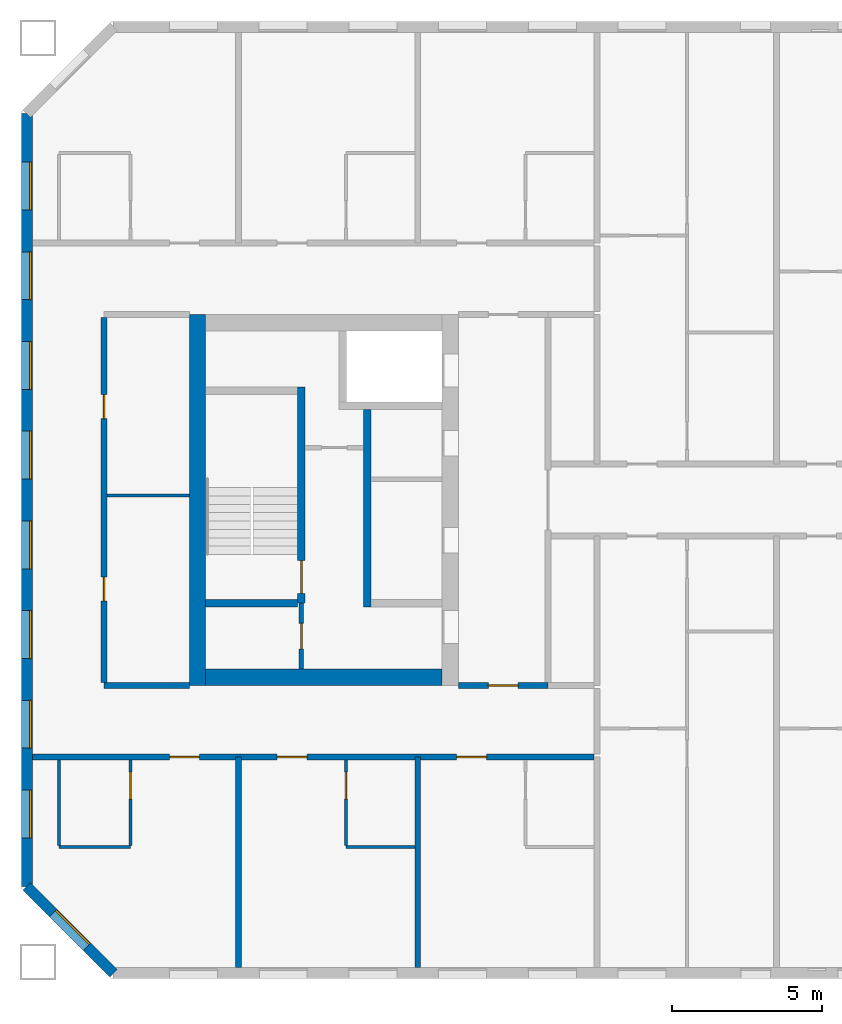
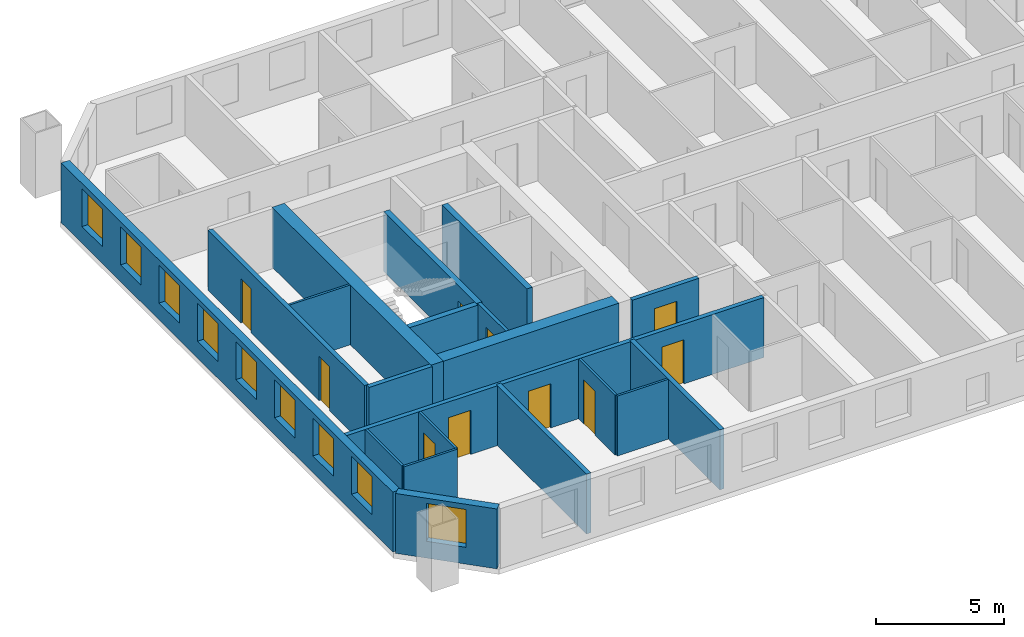
# One storey, part 2 of 16: 20 walls, 10 doors, 9 windows, 19 openings.
"""IFC4 building model written with IfcOpenShell, lengths in metres."""

from ifc_helpers import new_model, si_unit, direction, frame, frame_2d, origin, place, context, subcontext, project, spatial, rectangle, extrude, material, layer, layer_set, type_object, element, fill, save


model = new_model("IFC4")

# Units and contexts
model_context = context("Model", 3, precision=1e-05, world=origin(), true_north=direction((0.0, 1.0)))
body_context = subcontext(model_context, "Body", "Model", "MODEL_VIEW")
ifc_project = project(units=[si_unit("LENGTHUNIT", "METRE"), si_unit("AREAUNIT", "SQUARE_METRE"), si_unit("VOLUMEUNIT", "CUBIC_METRE"), si_unit("PLANEANGLEUNIT", "RADIAN"), si_unit("MASSUNIT", "GRAM", prefix="KILO")], contexts=[model_context])

# Site, building, storey
site_placement = place(None, origin())
site = spatial("IfcSite", under=ifc_project, at=site_placement, CompositionType="ELEMENT")
building_placement = place(site_placement, origin())
building = spatial("IfcBuilding", under=site, at=building_placement, Name="Tuart Gate Housing", CompositionType="ELEMENT")
storey_placement = place(building_placement, frame((0.0, 0.0, 139.199951171875)))
storey = spatial("IfcBuildingStorey", under=building, at=storey_placement, Name="L39", CompositionType="ELEMENT", Elevation=139.199951171875)

# Wall, opening, window
ifc_material_1 = material(Name="Brick", Category="masonry")
ifc_layer_1 = layer(ifc_material_1, 0.360107421875)
ifc_layer_set_1 = layer_set([ifc_layer_1], Name="Brick pier and spandrel wall 360")
wall_type_1 = type_object("IfcWallType", Name="Brick pier and spandrel wall 360", PredefinedType="STANDARD", material=ifc_layer_set_1)
wall_1_placement = place(storey_placement, frame((26.929931640625, 57.07470703125, 0.0), z_axis=(0.0, 0.0, 1.0), x_axis=(0.707106781187, -0.707106781187, 0.0)))
wall_1 = element("IfcWall", 1, at=wall_1_placement, inside=storey, type_object=wall_type_1, Name="External wall A-SW L39", PredefinedType="STANDARD", context=body_context, shape_type="SweptSolid", body=[
    extrude(rectangle(XDim=4.09375, YDim=0.360107421875, at=frame_2d((2.046875, 0.0))), origin(), (0.0, 0.0, 1.0), 2.85009765625),
])
opening_1_placement = place(wall_1_placement, frame((1.2470703125, 0.0, 0.800048828125)))
opening_1 = element("IfcOpeningElement", 2, at=opening_1_placement, cuts=wall_1, Name="Opening W1", PredefinedType="OPENING", context=body_context, shape_type="SweptSolid", body=[
    extrude(rectangle(XDim=1.60009765625, YDim=1.800048828125, at=frame_2d((0.800048828125, 0.89990234375))), frame((0.0, 0.18994140625, 0.0), z_axis=(0.0, -1.0, 0.0), x_axis=(1.0, 0.0, 0.0)), (0.0, 0.0, 1.0), 0.380126953125),
])
ifc_material_2 = material(Name="Aluminium frame with clear glass", Category="aluminium")
window_type = type_object("IfcWindowType", Name="Punched window 1600 x 1800", PartitioningType="SINGLE_PANEL", PredefinedType="WINDOW", material=ifc_material_2)
window_1_placement = place(opening_1_placement, origin())
window_1 = element("IfcWindow", 3, at=window_1_placement, inside=storey, type_object=window_type, Name="Window W1", OverallHeight=1.800048828125, OverallWidth=1.60009765625, PartitioningType="SINGLE_PANEL", PredefinedType="WINDOW", context=body_context, shape_type="SweptSolid", body=[
    extrude(rectangle(XDim=1.60009765625, YDim=1.800048828125, at=frame_2d((0.800048828125, 0.89990234375))), frame((0.0, 0.150146484375, 0.0), z_axis=(0.0, -1.0, 0.0), x_axis=(1.0, 0.0, 0.0)), (0.0, 0.0, 1.0), 0.06005859375),
])
fill(opening_1, window_1)

# Wall, openings, windows
wall_2_placement = place(storey_placement, frame((26.929931640625, 82.92529296875, 0.0), z_axis=(0.0, 0.0, 1.0), x_axis=(0.0, -1.0, 0.0)))
wall_2 = element("IfcWall", 4, at=wall_2_placement, inside=storey, type_object=wall_type_1, Name="External wall A-W L39", PredefinedType="STANDARD", context=body_context, shape_type="SweptSolid", body=[
    extrude(rectangle(XDim=25.850830078125, YDim=0.360107421875, at=frame_2d((12.92529296875, 0.0))), origin(), (0.0, 0.0, 1.0), 2.85009765625),
])
opening_2_placement = place(wall_2_placement, frame((1.62548828125, 0.0, 0.800048828125)))
opening_2 = element("IfcOpeningElement", 5, at=opening_2_placement, cuts=wall_2, Name="Opening W1", PredefinedType="OPENING", context=body_context, shape_type="SweptSolid", body=[
    extrude(rectangle(XDim=1.60009765625, YDim=1.800048828125, at=frame_2d((0.800048828125, 0.89990234375))), frame((0.0, 0.18994140625, 0.0), z_axis=(0.0, -1.0, 0.0), x_axis=(1.0, 0.0, 0.0)), (0.0, 0.0, 1.0), 0.380126953125),
])
opening_3_placement = place(wall_2_placement, frame((4.62548828125, 0.0, 0.800048828125)))
opening_3 = element("IfcOpeningElement", 6, at=opening_3_placement, cuts=wall_2, Name="Opening W1", PredefinedType="OPENING", context=body_context, shape_type="SweptSolid", body=[
    extrude(rectangle(XDim=1.60009765625, YDim=1.800048828125, at=frame_2d((0.800048828125, 0.89990234375))), frame((0.0, 0.18994140625, 0.0), z_axis=(0.0, -1.0, 0.0), x_axis=(1.0, 0.0, 0.0)), (0.0, 0.0, 1.0), 0.380126953125),
])
opening_4_placement = place(wall_2_placement, frame((7.62548828125, 0.0, 0.800048828125)))
opening_4 = element("IfcOpeningElement", 7, at=opening_4_placement, cuts=wall_2, Name="Opening W1", PredefinedType="OPENING", context=body_context, shape_type="SweptSolid", body=[
    extrude(rectangle(XDim=1.60009765625, YDim=1.800048828125, at=frame_2d((0.800048828125, 0.89990234375))), frame((0.0, 0.18994140625, 0.0), z_axis=(0.0, -1.0, 0.0), x_axis=(1.0, 0.0, 0.0)), (0.0, 0.0, 1.0), 0.380126953125),
])
opening_5_placement = place(wall_2_placement, frame((10.62548828125, 0.0, 0.800048828125)))
opening_5 = element("IfcOpeningElement", 8, at=opening_5_placement, cuts=wall_2, Name="Opening W1", PredefinedType="OPENING", context=body_context, shape_type="SweptSolid", body=[
    extrude(rectangle(XDim=1.60009765625, YDim=1.800048828125, at=frame_2d((0.800048828125, 0.89990234375))), frame((0.0, 0.18994140625, 0.0), z_axis=(0.0, -1.0, 0.0), x_axis=(1.0, 0.0, 0.0)), (0.0, 0.0, 1.0), 0.380126953125),
])
opening_6_placement = place(wall_2_placement, frame((13.62548828125, 0.0, 0.800048828125)))
opening_6 = element("IfcOpeningElement", 9, at=opening_6_placement, cuts=wall_2, Name="Opening W1", PredefinedType="OPENING", context=body_context, shape_type="SweptSolid", body=[
    extrude(rectangle(XDim=1.60009765625, YDim=1.800048828125, at=frame_2d((0.800048828125, 0.89990234375))), frame((0.0, 0.18994140625, 0.0), z_axis=(0.0, -1.0, 0.0), x_axis=(1.0, 0.0, 0.0)), (0.0, 0.0, 1.0), 0.380126953125),
])
opening_7_placement = place(wall_2_placement, frame((16.62548828125, 0.0, 0.800048828125)))
opening_7 = element("IfcOpeningElement", 10, at=opening_7_placement, cuts=wall_2, Name="Opening W1", PredefinedType="OPENING", context=body_context, shape_type="SweptSolid", body=[
    extrude(rectangle(XDim=1.60009765625, YDim=1.800048828125, at=frame_2d((0.800048828125, 0.89990234375))), frame((0.0, 0.18994140625, 0.0), z_axis=(0.0, -1.0, 0.0), x_axis=(1.0, 0.0, 0.0)), (0.0, 0.0, 1.0), 0.380126953125),
])
opening_8_placement = place(wall_2_placement, frame((19.62548828125, 0.0, 0.800048828125)))
opening_8 = element("IfcOpeningElement", 11, at=opening_8_placement, cuts=wall_2, Name="Opening W1", PredefinedType="OPENING", context=body_context, shape_type="SweptSolid", body=[
    extrude(rectangle(XDim=1.60009765625, YDim=1.800048828125, at=frame_2d((0.800048828125, 0.89990234375))), frame((0.0, 0.18994140625, 0.0), z_axis=(0.0, -1.0, 0.0), x_axis=(1.0, 0.0, 0.0)), (0.0, 0.0, 1.0), 0.380126953125),
])
opening_9_placement = place(wall_2_placement, frame((22.62548828125, 0.0, 0.800048828125)))
opening_9 = element("IfcOpeningElement", 12, at=opening_9_placement, cuts=wall_2, Name="Opening W1", PredefinedType="OPENING", context=body_context, shape_type="SweptSolid", body=[
    extrude(rectangle(XDim=1.60009765625, YDim=1.800048828125, at=frame_2d((0.800048828125, 0.89990234375))), frame((0.0, 0.18994140625, 0.0), z_axis=(0.0, -1.0, 0.0), x_axis=(1.0, 0.0, 0.0)), (0.0, 0.0, 1.0), 0.380126953125),
])
window_2_placement = place(opening_2_placement, origin())
window_2 = element("IfcWindow", 13, at=window_2_placement, inside=storey, type_object=window_type, Name="Window W1", OverallHeight=1.800048828125, OverallWidth=1.60009765625, PartitioningType="SINGLE_PANEL", PredefinedType="WINDOW", context=body_context, shape_type="SweptSolid", body=[
    extrude(rectangle(XDim=1.60009765625, YDim=1.800048828125, at=frame_2d((0.800048828125, 0.89990234375))), frame((0.0, 0.150146484375, 0.0), z_axis=(0.0, -1.0, 0.0), x_axis=(1.0, 0.0, 0.0)), (0.0, 0.0, 1.0), 0.06005859375),
])
fill(opening_2, window_2)
window_3_placement = place(opening_3_placement, origin())
window_3 = element("IfcWindow", 14, at=window_3_placement, inside=storey, type_object=window_type, Name="Window W1", OverallHeight=1.800048828125, OverallWidth=1.60009765625, PartitioningType="SINGLE_PANEL", PredefinedType="WINDOW", context=body_context, shape_type="SweptSolid", body=[
    extrude(rectangle(XDim=1.60009765625, YDim=1.800048828125, at=frame_2d((0.800048828125, 0.89990234375))), frame((0.0, 0.150146484375, 0.0), z_axis=(0.0, -1.0, 0.0), x_axis=(1.0, 0.0, 0.0)), (0.0, 0.0, 1.0), 0.06005859375),
])
fill(opening_3, window_3)
window_4_placement = place(opening_4_placement, origin())
window_4 = element("IfcWindow", 15, at=window_4_placement, inside=storey, type_object=window_type, Name="Window W1", OverallHeight=1.800048828125, OverallWidth=1.60009765625, PartitioningType="SINGLE_PANEL", PredefinedType="WINDOW", context=body_context, shape_type="SweptSolid", body=[
    extrude(rectangle(XDim=1.60009765625, YDim=1.800048828125, at=frame_2d((0.800048828125, 0.89990234375))), frame((0.0, 0.150146484375, 0.0), z_axis=(0.0, -1.0, 0.0), x_axis=(1.0, 0.0, 0.0)), (0.0, 0.0, 1.0), 0.06005859375),
])
fill(opening_4, window_4)
window_5_placement = place(opening_5_placement, origin())
window_5 = element("IfcWindow", 16, at=window_5_placement, inside=storey, type_object=window_type, Name="Window W1", OverallHeight=1.800048828125, OverallWidth=1.60009765625, PartitioningType="SINGLE_PANEL", PredefinedType="WINDOW", context=body_context, shape_type="SweptSolid", body=[
    extrude(rectangle(XDim=1.60009765625, YDim=1.800048828125, at=frame_2d((0.800048828125, 0.89990234375))), frame((0.0, 0.150146484375, 0.0), z_axis=(0.0, -1.0, 0.0), x_axis=(1.0, 0.0, 0.0)), (0.0, 0.0, 1.0), 0.06005859375),
])
fill(opening_5, window_5)
window_6_placement = place(opening_6_placement, origin())
window_6 = element("IfcWindow", 17, at=window_6_placement, inside=storey, type_object=window_type, Name="Window W1", OverallHeight=1.800048828125, OverallWidth=1.60009765625, PartitioningType="SINGLE_PANEL", PredefinedType="WINDOW", context=body_context, shape_type="SweptSolid", body=[
    extrude(rectangle(XDim=1.60009765625, YDim=1.800048828125, at=frame_2d((0.800048828125, 0.89990234375))), frame((0.0, 0.150146484375, 0.0), z_axis=(0.0, -1.0, 0.0), x_axis=(1.0, 0.0, 0.0)), (0.0, 0.0, 1.0), 0.06005859375),
])
fill(opening_6, window_6)
window_7_placement = place(opening_7_placement, origin())
window_7 = element("IfcWindow", 18, at=window_7_placement, inside=storey, type_object=window_type, Name="Window W1", OverallHeight=1.800048828125, OverallWidth=1.60009765625, PartitioningType="SINGLE_PANEL", PredefinedType="WINDOW", context=body_context, shape_type="SweptSolid", body=[
    extrude(rectangle(XDim=1.60009765625, YDim=1.800048828125, at=frame_2d((0.800048828125, 0.89990234375))), frame((0.0, 0.150146484375, 0.0), z_axis=(0.0, -1.0, 0.0), x_axis=(1.0, 0.0, 0.0)), (0.0, 0.0, 1.0), 0.06005859375),
])
fill(opening_7, window_7)
window_8_placement = place(opening_8_placement, origin())
window_8 = element("IfcWindow", 19, at=window_8_placement, inside=storey, type_object=window_type, Name="Window W1", OverallHeight=1.800048828125, OverallWidth=1.60009765625, PartitioningType="SINGLE_PANEL", PredefinedType="WINDOW", context=body_context, shape_type="SweptSolid", body=[
    extrude(rectangle(XDim=1.60009765625, YDim=1.800048828125, at=frame_2d((0.800048828125, 0.89990234375))), frame((0.0, 0.150146484375, 0.0), z_axis=(0.0, -1.0, 0.0), x_axis=(1.0, 0.0, 0.0)), (0.0, 0.0, 1.0), 0.06005859375),
])
fill(opening_8, window_8)
window_9_placement = place(opening_9_placement, origin())
window_9 = element("IfcWindow", 20, at=window_9_placement, inside=storey, type_object=window_type, Name="Window W1", OverallHeight=1.800048828125, OverallWidth=1.60009765625, PartitioningType="SINGLE_PANEL", PredefinedType="WINDOW", context=body_context, shape_type="SweptSolid", body=[
    extrude(rectangle(XDim=1.60009765625, YDim=1.800048828125, at=frame_2d((0.800048828125, 0.89990234375))), frame((0.0, 0.150146484375, 0.0), z_axis=(0.0, -1.0, 0.0), x_axis=(1.0, 0.0, 0.0)), (0.0, 0.0, 1.0), 0.06005859375),
])
fill(opening_9, window_9)

# Wall, opening, door
ifc_material_3 = material(Name="Plasterboard partition")
ifc_layer_2 = layer(ifc_material_3, 0.14990234375)
ifc_layer_set_2 = layer_set([ifc_layer_2], Name="Core partition 150")
wall_type_2 = type_object("IfcWallType", Name="Core partition 150", PredefinedType="PARTITIONING", material=ifc_layer_set_2)
wall_3_placement = place(storey_placement, frame((36.110107421875, 66.550048828125, 0.0), z_axis=(0.0, 0.0, 1.0), x_axis=(0.0, -1.0, 0.0)))
wall_3 = element("IfcWall", 21, at=wall_3_placement, inside=storey, type_object=wall_type_2, Name="Core partition AK.10", PredefinedType="PARTITIONING", context=body_context, shape_type="SweptSolid", body=[
    extrude(rectangle(XDim=2.199951171875, YDim=0.14990234375, at=frame_2d((1.10009765625, 0.0))), origin(), (0.0, 0.0, 1.0), 2.85009765625),
])
opening_10_placement = place(wall_3_placement, frame((0.675048828125, 0.0, 0.0)))
opening_10 = element("IfcOpeningElement", 22, at=opening_10_placement, cuts=wall_3, Name="Opening D1441", PredefinedType="OPENING", context=body_context, shape_type="SweptSolid", body=[
    extrude(rectangle(XDim=0.85009765625, YDim=2.10009765625, at=frame_2d((0.425048828125, 1.050048828125))), frame((0.0, 0.0849609375, 0.0), z_axis=(0.0, -1.0, 0.0), x_axis=(1.0, 0.0, 0.0)), (0.0, 0.0, 1.0), 0.169921875),
])
ifc_material_4 = material(Name="Steel fire door", Category="steel")
door_type_1 = type_object("IfcDoorType", Name="Service door 850 x 2100 RH", OperationType="SINGLE_SWING_RIGHT", PredefinedType="DOOR", material=ifc_material_4)
door_1_placement = place(opening_10_placement, frame((0.85009765625, 0.0, 0.0), z_axis=(0.0, 0.0, 1.0), x_axis=(-1.0, 0.0, 0.0)))
door_1 = element("IfcDoor", 23, at=door_1_placement, inside=storey, type_object=door_type_1, Name="Service room door AK.ST", OperationType="SINGLE_SWING_RIGHT", OverallHeight=2.10009765625, OverallWidth=0.85009765625, PredefinedType="DOOR", context=body_context, shape_type="SweptSolid", body=[
    extrude(rectangle(XDim=0.85009765625, YDim=2.10009765625, at=frame_2d((0.425048828125, 1.050048828125))), frame((0.0, 0.025146484375, 0.0), z_axis=(0.0, -1.0, 0.0), x_axis=(1.0, 0.0, 0.0)), (0.0, 0.0, 1.0), 0.050048828125),
])
fill(opening_10, door_1)

# Walls
ifc_material_5 = material(Name="Concrete C50", Category="concrete")
ifc_layer_3 = layer(ifc_material_5, 0.25)
ifc_layer_set_3 = layer_set([ifc_layer_3], Name="Core wall 250 C50")
wall_type_3 = type_object("IfcWallType", Name="Core wall 250 C50", PredefinedType="SHEAR", material=ifc_layer_set_3)
wall_4_placement = place(storey_placement, frame((35.985107421875, 66.550048828125, 0.0), z_axis=(0.0, 0.0, 1.0), x_axis=(-1.0, 0.0, 0.0)))
element("IfcWall", 24, at=wall_4_placement, inside=storey, type_object=wall_type_3, Name="Core wall AK.6", PredefinedType="SHEAR", context=body_context, shape_type="SweptSolid", body=[
    extrude(rectangle(XDim=3.0751953125, YDim=0.25, at=frame_2d((1.53759765625, 0.0))), origin(), (0.0, 0.0, 1.0), 2.85009765625),
])
wall_5_placement = place(storey_placement, frame((38.31005859375, 73.02490234375, 0.0), z_axis=(0.0, 0.0, 1.0), x_axis=(0.0, -1.0, 0.0)))
element("IfcWall", 25, at=wall_5_placement, inside=storey, type_object=wall_type_3, Name="Core wall AK.7", PredefinedType="SHEAR", context=body_context, shape_type="SweptSolid", body=[
    extrude(rectangle(XDim=6.599853515625, YDim=0.25, at=frame_2d((3.2998046875, 0.0))), origin(), (0.0, 0.0, 1.0), 2.85009765625),
])

# Wall, opening, door
wall_6_placement = place(storey_placement, frame((36.110107421875, 73.77490234375, 0.0), z_axis=(0.0, 0.0, 1.0), x_axis=(0.0, -1.0, 0.0)))
wall_6 = element("IfcWall", 26, at=wall_6_placement, inside=storey, type_object=wall_type_3, Name="Core wall AK.9", PredefinedType="SHEAR", context=body_context, shape_type="SweptSolid", body=[
    extrude(rectangle(XDim=7.224853515625, YDim=0.25, at=frame_2d((3.6123046875, 0.0))), origin(), (0.0, 0.0, 1.0), 2.85009765625),
])
opening_11_placement = place(wall_6_placement, frame((5.800048828125, 0.0, 0.0)))
opening_11 = element("IfcOpeningElement", 27, at=opening_11_placement, cuts=wall_6, Name="Opening D1428", PredefinedType="OPENING", context=body_context, shape_type="SweptSolid", body=[
    extrude(rectangle(XDim=1.10009765625, YDim=2.10009765625, at=frame_2d((0.550048828125, 1.050048828125))), frame((0.0, 0.135009765625, 0.0), z_axis=(0.0, -1.0, 0.0), x_axis=(1.0, 0.0, 0.0)), (0.0, 0.0, 1.0), 0.27001953125),
])
ifc_material_6 = material(Name="Steel fire door", Category="steel")
door_type_2 = type_object("IfcDoorType", Name="Stair door 1100 x 2100", OperationType="SINGLE_SWING_LEFT", PredefinedType="DOOR", material=ifc_material_6)
door_2_placement = place(opening_11_placement, frame((1.10009765625, 0.0, 0.0), z_axis=(0.0, 0.0, 1.0), x_axis=(-1.0, 0.0, 0.0)))
door_2 = element("IfcDoor", 28, at=door_2_placement, inside=storey, type_object=door_type_2, Name="Stair door AK.SD", OperationType="SINGLE_SWING_LEFT", OverallHeight=2.10009765625, OverallWidth=1.10009765625, PredefinedType="DOOR", context=body_context, shape_type="SweptSolid", body=[
    extrude(rectangle(XDim=1.10009765625, YDim=2.10009765625, at=frame_2d((0.550048828125, 1.050048828125))), frame((0.0, 0.025146484375, 0.0), z_axis=(0.0, -1.0, 0.0), x_axis=(1.0, 0.0, 0.0)), (0.0, 0.0, 1.0), 0.050048828125),
])
fill(opening_11, door_2)

# Walls
ifc_material_7 = material(Name="Concrete C50", Category="concrete")
ifc_layer_4 = layer(ifc_material_7, 0.550048828125)
ifc_layer_set_4 = layer_set([ifc_layer_4], Name="Core wall 550 C50")
wall_type_4 = type_object("IfcWallType", Name="Core wall 550 C50", PredefinedType="SHEAR", material=ifc_layer_set_4)
wall_7_placement = place(storey_placement, frame((32.635009765625, 76.199951171875, 0.0), z_axis=(0.0, 0.0, 1.0), x_axis=(0.0, -1.0, 0.0)))
element("IfcWall", 29, at=wall_7_placement, inside=storey, type_object=wall_type_4, Name="Core wall AK back", PredefinedType="SHEAR", context=body_context, shape_type="SweptSolid", body=[
    extrude(rectangle(XDim=12.39990234375, YDim=0.550048828125, at=frame_2d((6.199951171875, 0.0))), origin(), (0.0, 0.0, 1.0), 2.85009765625),
])
wall_8_placement = place(storey_placement, frame((40.81005859375, 64.074951171875, 0.0), z_axis=(0.0, 0.0, 1.0), x_axis=(-1.0, 0.0, 0.0)))
element("IfcWall", 30, at=wall_8_placement, inside=storey, type_object=wall_type_4, Name="Core wall AK north", PredefinedType="SHEAR", context=body_context, shape_type="SweptSolid", body=[
    extrude(rectangle(XDim=7.900146484375, YDim=0.550048828125, at=frame_2d((3.9501953125, 0.0))), origin(), (0.0, 0.0, 1.0), 2.85009765625),
])

# Wall, openings, doors
ifc_material_8 = material(Name="Concrete masonry 15 MPa", Category="masonry")
ifc_layer_5 = layer(ifc_material_8, 0.199951171875)
ifc_layer_set_5 = layer_set([ifc_layer_5], Name="Corridor wall masonry 200")
wall_type_5 = type_object("IfcWallType", Name="Corridor wall masonry 200", PredefinedType="PARTITIONING", material=ifc_layer_set_5)
wall_9_placement = place(storey_placement, frame((27.110107421875, 61.39990234375, 0.0), z_axis=(0.0, 0.0, 1.0), x_axis=(1.0, 0.0, 0.0)))
wall_9 = element("IfcWall", 31, at=wall_9_placement, inside=storey, type_object=wall_type_5, Name="Corridor wall masonry 200", PredefinedType="PARTITIONING", context=body_context, shape_type="SweptSolid", body=[
    extrude(rectangle(XDim=18.789794921875, YDim=0.199951171875, at=frame_2d((9.39501953125, 0.0))), origin(), (0.0, 0.0, 1.0), 2.85009765625),
])
opening_12_placement = place(wall_9_placement, frame((14.18994140625, 0.0, 0.0)))
opening_12 = element("IfcOpeningElement", 32, at=opening_12_placement, cuts=wall_9, Name="Opening D1453", PredefinedType="OPENING", context=body_context, shape_type="SweptSolid", body=[
    extrude(rectangle(XDim=1.0, YDim=2.10009765625, at=frame_2d((0.5, 1.050048828125))), frame((0.0, 0.10986328125, 0.0), z_axis=(0.0, -1.0, 0.0), x_axis=(1.0, 0.0, 0.0)), (0.0, 0.0, 1.0), 0.219970703125),
])
opening_13_placement = place(wall_9_placement, frame((8.18994140625, 0.0, 0.0)))
opening_13 = element("IfcOpeningElement", 33, at=opening_13_placement, cuts=wall_9, Name="Opening D1454", PredefinedType="OPENING", context=body_context, shape_type="SweptSolid", body=[
    extrude(rectangle(XDim=1.0, YDim=2.10009765625, at=frame_2d((0.5, 1.050048828125))), frame((0.0, 0.10986328125, 0.0), z_axis=(0.0, -1.0, 0.0), x_axis=(1.0, 0.0, 0.0)), (0.0, 0.0, 1.0), 0.219970703125),
])
opening_14_placement = place(wall_9_placement, frame((4.590087890625, 0.0, 0.0)))
opening_14 = element("IfcOpeningElement", 34, at=opening_14_placement, cuts=wall_9, Name="Opening D1455", PredefinedType="OPENING", context=body_context, shape_type="SweptSolid", body=[
    extrude(rectangle(XDim=1.0, YDim=2.10009765625, at=frame_2d((0.5, 1.050048828125))), frame((0.0, 0.10986328125, 0.0), z_axis=(0.0, -1.0, 0.0), x_axis=(1.0, 0.0, 0.0)), (0.0, 0.0, 1.0), 0.219970703125),
])
ifc_material_9 = material(Name="Timber door leaf in steel frame", Category="steel")
door_type_3 = type_object("IfcDoorType", Name="Flat entrance door 1000 RH", OperationType="SINGLE_SWING_RIGHT", PredefinedType="DOOR", material=ifc_material_9)
door_3_placement = place(opening_12_placement, frame((1.0, 0.0, 0.0), z_axis=(0.0, 0.0, 1.0), x_axis=(-1.0, 0.0, 0.0)))
door_3 = element("IfcDoor", 35, at=door_3_placement, inside=storey, type_object=door_type_3, Name="Flat entrance door", OperationType="SINGLE_SWING_RIGHT", OverallHeight=2.10009765625, OverallWidth=1.0, PredefinedType="DOOR", context=body_context, shape_type="SweptSolid", body=[
    extrude(rectangle(XDim=1.0, YDim=2.10009765625, at=frame_2d((0.5, 1.050048828125))), frame((0.0, 0.025146484375, 0.0), z_axis=(0.0, -1.0, 0.0), x_axis=(1.0, 0.0, 0.0)), (0.0, 0.0, 1.0), 0.050048828125),
])
fill(opening_12, door_3)
door_4_placement = place(opening_13_placement, frame((1.0, 0.0, 0.0), z_axis=(0.0, 0.0, 1.0), x_axis=(-1.0, 0.0, 0.0)))
door_4 = element("IfcDoor", 36, at=door_4_placement, inside=storey, type_object=door_type_3, Name="Flat entrance door", OperationType="SINGLE_SWING_RIGHT", OverallHeight=2.10009765625, OverallWidth=1.0, PredefinedType="DOOR", context=body_context, shape_type="SweptSolid", body=[
    extrude(rectangle(XDim=1.0, YDim=2.10009765625, at=frame_2d((0.5, 1.050048828125))), frame((0.0, 0.025146484375, 0.0), z_axis=(0.0, -1.0, 0.0), x_axis=(1.0, 0.0, 0.0)), (0.0, 0.0, 1.0), 0.050048828125),
])
fill(opening_13, door_4)
door_5_placement = place(opening_14_placement, frame((1.0, 0.0, 0.0), z_axis=(0.0, 0.0, 1.0), x_axis=(-1.0, 0.0, 0.0)))
door_5 = element("IfcDoor", 37, at=door_5_placement, inside=storey, type_object=door_type_3, Name="Flat entrance door", OperationType="SINGLE_SWING_RIGHT", OverallHeight=2.10009765625, OverallWidth=1.0, PredefinedType="DOOR", context=body_context, shape_type="SweptSolid", body=[
    extrude(rectangle(XDim=1.0, YDim=2.10009765625, at=frame_2d((0.5, 1.050048828125))), frame((0.0, 0.025146484375, 0.0), z_axis=(0.0, -1.0, 0.0), x_axis=(1.0, 0.0, 0.0)), (0.0, 0.0, 1.0), 0.050048828125),
])
fill(opening_14, door_5)

# Wall
wall_10_placement = place(storey_placement, frame((29.510009765625, 63.800048828125, 0.0), z_axis=(0.0, 0.0, 1.0), x_axis=(1.0, 0.0, 0.0)))
element("IfcWall", 38, at=wall_10_placement, inside=storey, type_object=wall_type_5, Name="Corridor wall masonry 200", PredefinedType="PARTITIONING", context=body_context, shape_type="SweptSolid", body=[
    extrude(rectangle(XDim=2.85009765625, YDim=0.199951171875, at=frame_2d((1.425048828125, 0.0))), origin(), (0.0, 0.0, 1.0), 2.85009765625),
])

# Wall, openings, doors
wall_11_placement = place(storey_placement, frame((29.510009765625, 63.89990234375, 0.0), z_axis=(0.0, 0.0, 1.0), x_axis=(0.0, 1.0, 0.0)))
wall_11 = element("IfcWall", 39, at=wall_11_placement, inside=storey, type_object=wall_type_5, Name="Corridor wall masonry 200", PredefinedType="PARTITIONING", context=body_context, shape_type="SweptSolid", body=[
    extrude(rectangle(XDim=12.2001953125, YDim=0.199951171875, at=frame_2d((6.10009765625, 0.0))), origin(), (0.0, 0.0, 1.0), 2.85009765625),
])
opening_15_placement = place(wall_11_placement, frame((2.72509765625, 0.0, 0.0)))
opening_15 = element("IfcOpeningElement", 40, at=opening_15_placement, cuts=wall_11, Name="Opening D1429", PredefinedType="OPENING", context=body_context, shape_type="SweptSolid", body=[
    extrude(rectangle(XDim=0.800048828125, YDim=2.10009765625, at=frame_2d((0.39990234375, 1.050048828125))), frame((0.0, 0.10986328125, 0.0), z_axis=(0.0, -1.0, 0.0), x_axis=(1.0, 0.0, 0.0)), (0.0, 0.0, 1.0), 0.219970703125),
])
opening_16_placement = place(wall_11_placement, frame((8.824951171875, 0.0, 0.0)))
opening_16 = element("IfcOpeningElement", 41, at=opening_16_placement, cuts=wall_11, Name="Opening D1430", PredefinedType="OPENING", context=body_context, shape_type="SweptSolid", body=[
    extrude(rectangle(XDim=0.800048828125, YDim=2.10009765625, at=frame_2d((0.39990234375, 1.050048828125))), frame((0.0, 0.10986328125, 0.0), z_axis=(0.0, -1.0, 0.0), x_axis=(1.0, 0.0, 0.0)), (0.0, 0.0, 1.0), 0.219970703125),
])
ifc_material_10 = material(Name="Timber door leaf in steel frame", Category="steel")
door_type_4 = type_object("IfcDoorType", Name="Store door 800", OperationType="SINGLE_SWING_LEFT", PredefinedType="DOOR", material=ifc_material_10)
door_6_placement = place(opening_15_placement, frame((0.800048828125, 0.0, 0.0), z_axis=(0.0, 0.0, 1.0), x_axis=(-1.0, 0.0, 0.0)))
door_6 = element("IfcDoor", 42, at=door_6_placement, inside=storey, type_object=door_type_4, Name="Store door", OperationType="SINGLE_SWING_LEFT", OverallHeight=2.10009765625, OverallWidth=0.800048828125, PredefinedType="DOOR", context=body_context, shape_type="SweptSolid", body=[
    extrude(rectangle(XDim=0.800048828125, YDim=2.10009765625, at=frame_2d((0.400146484375, 1.050048828125))), frame((0.0, 0.025146484375, 0.0), z_axis=(0.0, -1.0, 0.0), x_axis=(1.0, 0.0, 0.0)), (0.0, 0.0, 1.0), 0.050048828125),
])
fill(opening_15, door_6)
ifc_material_11 = material(Name="Timber door leaf in steel frame", Category="steel")
door_type_5 = type_object("IfcDoorType", Name="Store door 800 RH", OperationType="SINGLE_SWING_RIGHT", PredefinedType="DOOR", material=ifc_material_11)
door_7_placement = place(opening_16_placement, frame((0.800048828125, 0.0, 0.0), z_axis=(0.0, 0.0, 1.0), x_axis=(-1.0, 0.0, 0.0)))
door_7 = element("IfcDoor", 43, at=door_7_placement, inside=storey, type_object=door_type_5, Name="Store door", OperationType="SINGLE_SWING_RIGHT", OverallHeight=2.10009765625, OverallWidth=0.800048828125, PredefinedType="DOOR", context=body_context, shape_type="SweptSolid", body=[
    extrude(rectangle(XDim=0.800048828125, YDim=2.10009765625, at=frame_2d((0.400146484375, 1.050048828125))), frame((0.0, 0.025146484375, 0.0), z_axis=(0.0, -1.0, 0.0), x_axis=(1.0, 0.0, 0.0)), (0.0, 0.0, 1.0), 0.050048828125),
])
fill(opening_16, door_7)

# Wall, opening, door
ifc_material_12 = material(Name="Concrete masonry 15 MPa", Category="masonry")
ifc_layer_6 = layer(ifc_material_12, 0.199951171875)
ifc_layer_set_6 = layer_set([ifc_layer_6], Name="Enclosure wall masonry 200")
wall_type_6 = type_object("IfcWallType", Name="Enclosure wall masonry 200", PredefinedType="PARTITIONING", material=ifc_layer_set_6)
wall_12_placement = place(storey_placement, frame((41.360107421875, 63.800048828125, 0.0), z_axis=(0.0, 0.0, 1.0), x_axis=(1.0, 0.0, 0.0)))
wall_12 = element("IfcWall", 44, at=wall_12_placement, inside=storey, type_object=wall_type_6, Name="Enclosure wall masonry 200", PredefinedType="PARTITIONING", context=body_context, shape_type="SweptSolid", body=[
    extrude(rectangle(XDim=3.0, YDim=0.199951171875, at=frame_2d((1.5, 0.0))), origin(), (0.0, 0.0, 1.0), 2.85009765625),
])
opening_17_placement = place(wall_12_placement, frame((1.0, 0.0, 0.0)))
opening_17 = element("IfcOpeningElement", 45, at=opening_17_placement, cuts=wall_12, Name="Opening D1443", PredefinedType="OPENING", context=body_context, shape_type="SweptSolid", body=[
    extrude(rectangle(XDim=1.0, YDim=2.10009765625, at=frame_2d((0.5, 1.050048828125))), frame((0.0, 0.10986328125, 0.0), z_axis=(0.0, -1.0, 0.0), x_axis=(1.0, 0.0, 0.0)), (0.0, 0.0, 1.0), 0.219970703125),
])
ifc_material_13 = material(Name="Timber door leaf in steel frame", Category="steel")
door_type_6 = type_object("IfcDoorType", Name="Fire door 1000", OperationType="SINGLE_SWING_LEFT", PredefinedType="DOOR", material=ifc_material_13)
door_8_placement = place(opening_17_placement, frame((1.0, 0.0, 0.0), z_axis=(0.0, 0.0, 1.0), x_axis=(-1.0, 0.0, 0.0)))
door_8 = element("IfcDoor", 46, at=door_8_placement, inside=storey, type_object=door_type_6, Name="Fire door", OperationType="SINGLE_SWING_LEFT", OverallHeight=2.10009765625, OverallWidth=1.0, PredefinedType="DOOR", context=body_context, shape_type="SweptSolid", body=[
    extrude(rectangle(XDim=1.0, YDim=2.10009765625, at=frame_2d((0.5, 1.050048828125))), frame((0.0, 0.025146484375, 0.0), z_axis=(0.0, -1.0, 0.0), x_axis=(1.0, 0.0, 0.0)), (0.0, 0.0, 1.0), 0.050048828125),
])
fill(opening_17, door_8)

# Walls
ifc_material_14 = material(Name="Gypsum board on steel studs", Category="steel")
ifc_layer_7 = layer(ifc_material_14, 0.10009765625)
ifc_layer_set_7 = layer_set([ifc_layer_7], Name="Partition 100")
wall_type_7 = type_object("IfcWallType", Name="Partition 100", PredefinedType="PARTITIONING", material=ifc_layer_set_7)
wall_13_placement = place(storey_placement, frame((28.0, 58.39990234375, 0.0), z_axis=(0.0, 0.0, 1.0), x_axis=(1.0, 0.0, 0.0)))
element("IfcWall", 47, at=wall_13_placement, inside=storey, type_object=wall_type_7, Name="Partition 100", PredefinedType="PARTITIONING", context=body_context, shape_type="SweptSolid", body=[
    extrude(rectangle(XDim=2.39990234375, YDim=0.10009765625, at=frame_2d((1.199951171875, 0.0))), origin(), (0.0, 0.0, 1.0), 2.85009765625),
])
wall_14_placement = place(storey_placement, frame((37.60009765625, 58.39990234375, 0.0), z_axis=(0.0, 0.0, 1.0), x_axis=(1.0, 0.0, 0.0)))
element("IfcWall", 48, at=wall_14_placement, inside=storey, type_object=wall_type_7, Name="Partition 100", PredefinedType="PARTITIONING", context=body_context, shape_type="SweptSolid", body=[
    extrude(rectangle(XDim=2.2998046875, YDim=0.10009765625, at=frame_2d((1.14990234375, 0.0))), origin(), (0.0, 0.0, 1.0), 2.85009765625),
])
wall_15_placement = place(storey_placement, frame((29.610107421875, 70.14990234375, 0.0), z_axis=(0.0, 0.0, 1.0), x_axis=(1.0, 0.0, 0.0)))
element("IfcWall", 49, at=wall_15_placement, inside=storey, type_object=wall_type_7, Name="Partition 100", PredefinedType="PARTITIONING", context=body_context, shape_type="SweptSolid", body=[
    extrude(rectangle(XDim=2.75, YDim=0.10009765625, at=frame_2d((1.375, 0.0))), origin(), (0.0, 0.0, 1.0), 2.85009765625),
])
wall_16_placement = place(storey_placement, frame((28.0, 58.449951171875, 0.0), z_axis=(0.0, 0.0, 1.0), x_axis=(0.0, 1.0, 0.0)))
element("IfcWall", 50, at=wall_16_placement, inside=storey, type_object=wall_type_7, Name="Partition 100", PredefinedType="PARTITIONING", context=body_context, shape_type="SweptSolid", body=[
    extrude(rectangle(XDim=2.85009765625, YDim=0.10009765625, at=frame_2d((1.425048828125, 0.0))), origin(), (0.0, 0.0, 1.0), 2.85009765625),
])

# Wall, opening, door
wall_17_placement = place(storey_placement, frame((30.39990234375, 58.449951171875, 0.0), z_axis=(0.0, 0.0, 1.0), x_axis=(0.0, 1.0, 0.0)))
wall_17 = element("IfcWall", 51, at=wall_17_placement, inside=storey, type_object=wall_type_7, Name="Partition 100", PredefinedType="PARTITIONING", context=body_context, shape_type="SweptSolid", body=[
    extrude(rectangle(XDim=2.85009765625, YDim=0.10009765625, at=frame_2d((1.425048828125, 0.0))), origin(), (0.0, 0.0, 1.0), 2.85009765625),
])
opening_18_placement = place(wall_17_placement, frame((1.550048828125, 0.0, 0.0)))
opening_18 = element("IfcOpeningElement", 52, at=opening_18_placement, cuts=wall_17, Name="Opening D1458", PredefinedType="OPENING", context=body_context, shape_type="SweptSolid", body=[
    extrude(rectangle(XDim=0.89990234375, YDim=2.10009765625, at=frame_2d((0.449951171875, 1.050048828125))), frame((0.0, 0.06005859375, 0.0), z_axis=(0.0, -1.0, 0.0), x_axis=(1.0, 0.0, 0.0)), (0.0, 0.0, 1.0), 0.1201171875),
])
ifc_material_15 = material(Name="Timber door leaf in steel frame", Category="steel")
door_type_7 = type_object("IfcDoorType", Name="Bathroom door 900 RH", OperationType="SINGLE_SWING_RIGHT", PredefinedType="DOOR", material=ifc_material_15)
door_9_placement = place(opening_18_placement, origin())
door_9 = element("IfcDoor", 53, at=door_9_placement, inside=storey, type_object=door_type_7, Name="Bathroom door", OperationType="SINGLE_SWING_RIGHT", OverallHeight=2.10009765625, OverallWidth=0.89990234375, PredefinedType="DOOR", context=body_context, shape_type="SweptSolid", body=[
    extrude(rectangle(XDim=0.89990234375, YDim=2.10009765625, at=frame_2d((0.449951171875, 1.050048828125))), frame((0.0, 0.02490234375, 0.0), z_axis=(0.0, -1.0, 0.0), x_axis=(1.0, 0.0, 0.0)), (0.0, 0.0, 1.0), 0.050048828125),
])
fill(opening_18, door_9)

wall_18_placement = place(storey_placement, frame((37.60009765625, 58.449951171875, 0.0), z_axis=(0.0, 0.0, 1.0), x_axis=(0.0, 1.0, 0.0)))
wall_18 = element("IfcWall", 54, at=wall_18_placement, inside=storey, type_object=wall_type_7, Name="Partition 100", PredefinedType="PARTITIONING", context=body_context, shape_type="SweptSolid", body=[
    extrude(rectangle(XDim=2.85009765625, YDim=0.10009765625, at=frame_2d((1.425048828125, 0.0))), origin(), (0.0, 0.0, 1.0), 2.85009765625),
])
opening_19_placement = place(wall_18_placement, frame((1.550048828125, 0.0, 0.0)))
opening_19 = element("IfcOpeningElement", 55, at=opening_19_placement, cuts=wall_18, Name="Opening D1459", PredefinedType="OPENING", context=body_context, shape_type="SweptSolid", body=[
    extrude(rectangle(XDim=0.89990234375, YDim=2.10009765625, at=frame_2d((0.449951171875, 1.050048828125))), frame((0.0, 0.06005859375, 0.0), z_axis=(0.0, -1.0, 0.0), x_axis=(1.0, 0.0, 0.0)), (0.0, 0.0, 1.0), 0.1201171875),
])
ifc_material_16 = material(Name="Timber door leaf in steel frame", Category="steel")
door_type_8 = type_object("IfcDoorType", Name="Bathroom door 900", OperationType="SINGLE_SWING_LEFT", PredefinedType="DOOR", material=ifc_material_16)
door_10_placement = place(opening_19_placement, frame((0.89990234375, 0.0, 0.0), z_axis=(0.0, 0.0, 1.0), x_axis=(-1.0, 0.0, 0.0)))
door_10 = element("IfcDoor", 56, at=door_10_placement, inside=storey, type_object=door_type_8, Name="Bathroom door", OperationType="SINGLE_SWING_LEFT", OverallHeight=2.10009765625, OverallWidth=0.89990234375, PredefinedType="DOOR", context=body_context, shape_type="SweptSolid", body=[
    extrude(rectangle(XDim=0.89990234375, YDim=2.10009765625, at=frame_2d((0.449951171875, 1.050048828125))), frame((0.0, 0.025146484375, 0.0), z_axis=(0.0, -1.0, 0.0), x_axis=(1.0, 0.0, 0.0)), (0.0, 0.0, 1.0), 0.050048828125),
])
fill(opening_19, door_10)

# Walls
ifc_material_17 = material(Name="Concrete C40", Category="concrete")
ifc_layer_8 = layer(ifc_material_17, 0.199951171875)
ifc_layer_set_8 = layer_set([ifc_layer_8], Name="Party wall concrete C40 200")
wall_type_8 = type_object("IfcWallType", Name="Party wall concrete C40 200", PredefinedType="SOLIDWALL", material=ifc_layer_set_8)
for number, where, z_axis, x_axis, name in (
    (57, (34.0, 54.360107421875, 0.0), (0.0, 0.0, 1.0), (0.0, 1.0, 0.0), "Party wall concrete C40 200"),
    (58, (40.0, 54.360107421875, 0.0), (0.0, 0.0, 1.0), (0.0, 1.0, 0.0), "Party wall concrete C40 200"),
):
    element("IfcWall", number, at=place(storey_placement, frame(where, z_axis=z_axis, x_axis=x_axis)), inside=storey, type_object=wall_type_8, Name=name, PredefinedType="SOLIDWALL", context=body_context, shape_type="SweptSolid", body=[
        extrude(rectangle(XDim=7.039794921875, YDim=0.199951171875, at=frame_2d((3.52001953125, 0.0))), origin(), (0.0, 0.0, 1.0), 2.85009765625),
    ])

save(model, "model.ifc")
